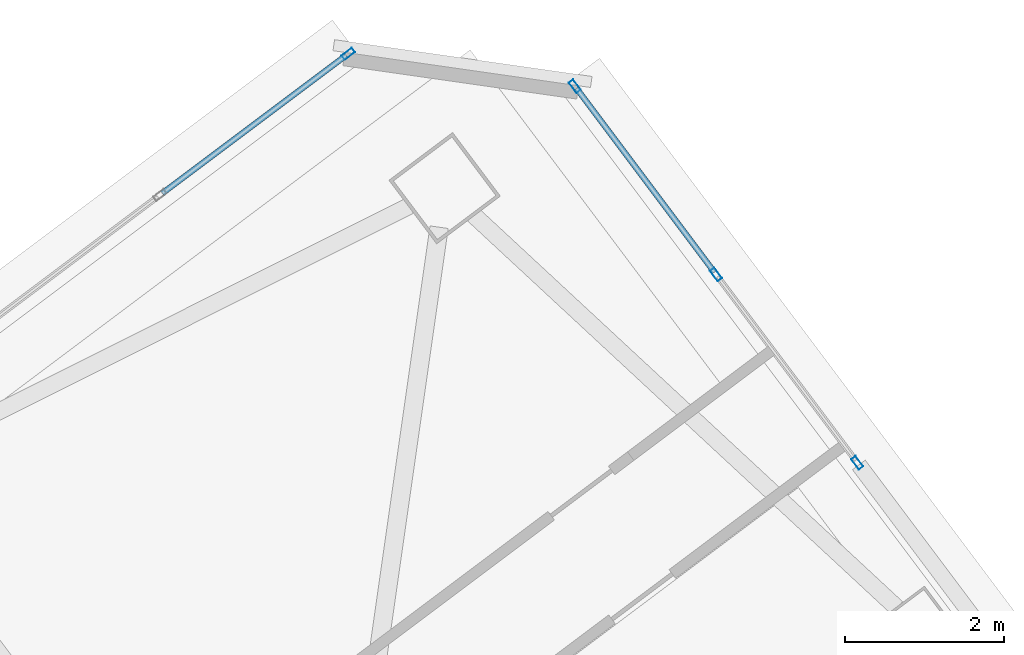
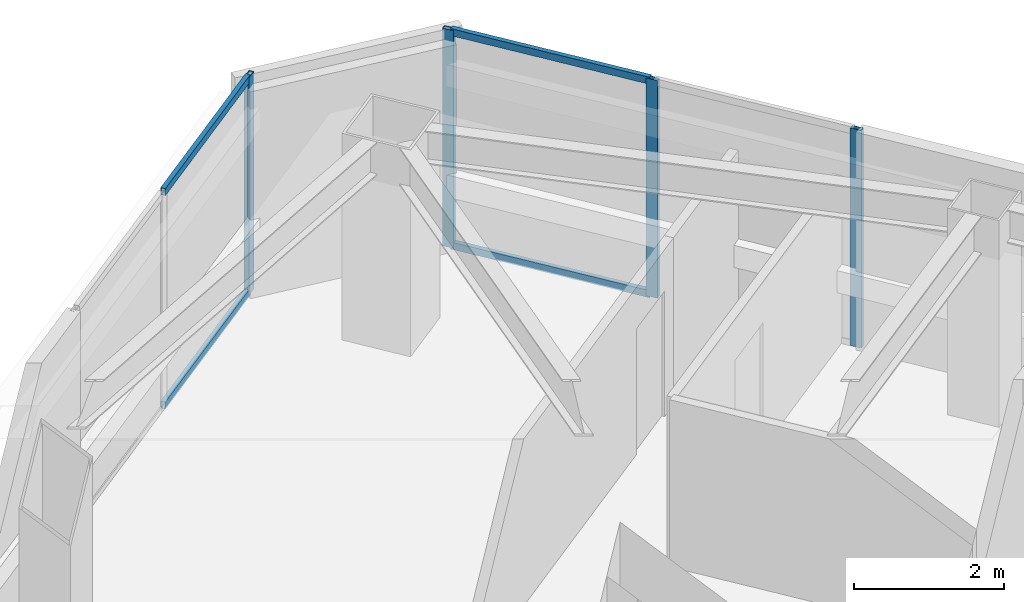
# One storey, part 31 of 44: 8 members, 2 elements without a shape of their own.
"""IFC4 building model written with IfcOpenShell, lengths in metres."""

import ifcopenshell
import ifcopenshell.guid

model = None  # the IFC model being written
_history = None  # IfcOwnerHistory: only IFC2X3 demands one
_inside = {}  # id of a spatial element -> (the spatial element, [elements in it])
_under = {}  # id of a project, library or spatial element -> (it, [spatial elements below it])
_declared = {}  # id of a project -> (the project, [libraries it declares])
_typed = {}  # id of a type object -> (the type object, [elements of that type])
_made_of = {}  # id of a material, layer set ... -> (it, [elements and type objects made of it])


def new_model(schema):
    """Start an empty IFC model of exactly this schema.

    Asked for "IFC4X3", IfcOpenShell would pick the latest addendum, in which some entities
    have other attributes; the version numbers below select the first issue.
    IFC2X3 requires an IfcOwnerHistory on every rooted entity: one is made here for all.
    """
    global model, _history
    if schema == "IFC4X3":
        model = ifcopenshell.file(schema_version=(4, 3, 0, 0))
    else:
        model = ifcopenshell.file(schema=schema)
    _inside.clear()
    _under.clear()
    _declared.clear()
    _typed.clear()
    _made_of.clear()
    _history = None
    if model.schema == "IFC2X3":
        org = make("IfcOrganization", Name="unknown")
        user = make(
            "IfcPersonAndOrganization",
            ThePerson=make("IfcPerson", FamilyName="unknown"),
            TheOrganization=org,
        )
        app = make(
            "IfcApplication",
            ApplicationDeveloper=org,
            Version="unknown",
            ApplicationFullName="unknown",
            ApplicationIdentifier="unknown",
        )
        _history = make(
            "IfcOwnerHistory",
            OwningUser=user,
            OwningApplication=app,
            ChangeAction="ADDED",
            CreationDate=0,
        )
    return model


def make(cls, **values):
    """One entity of the class cls with the attributes given. An attribute that is None is left unset."""
    return model.create_entity(
        cls, **{name: value for name, value in values.items() if value is not None}
    )


def rooted(cls, **values):
    """An entity with a GlobalId (a new one), such as an element, a storey or a relation."""
    return make(cls, GlobalId=ifcopenshell.guid.new(), OwnerHistory=_history, **values)


def si_unit(unit_type, name, prefix=None):
    """IfcSIUnit, for example si_unit("LENGTHUNIT", "METRE", prefix="MILLI")."""
    return make("IfcSIUnit", UnitType=unit_type, Prefix=prefix, Name=name)


def assignment(units):
    """IfcUnitAssignment: the units of a project."""
    return None if units is None else make("IfcUnitAssignment", Units=units)


def point(xyz):
    """IfcCartesianPoint."""
    return None if xyz is None else make("IfcCartesianPoint", Coordinates=xyz)


def direction(xyz):
    """IfcDirection."""
    return None if xyz is None else make("IfcDirection", DirectionRatios=xyz)


def frame(location, z_axis=None, x_axis=None):
    """IfcAxis2Placement3D, a coordinate frame: its origin and axes. An axis left out is left unset."""
    return make(
        "IfcAxis2Placement3D",
        Location=point(location),
        Axis=direction(z_axis),
        RefDirection=direction(x_axis),
    )


def frame_2d(location, x_axis=None):
    """IfcAxis2Placement2D, a coordinate frame in the plane: its origin and x axis."""
    return make(
        "IfcAxis2Placement2D", Location=point(location), RefDirection=direction(x_axis)
    )


def origin():
    """The frame at (0, 0, 0) with its axes left unset."""
    return frame((0.0, 0.0, 0.0))


def origin_2d():
    """The frame at (0, 0) in the plane with its x axis left unset."""
    return frame_2d((0.0, 0.0))


def place(relative_to, where):
    """IfcLocalPlacement: puts the frame where relative to a parent placement (None: the world)."""
    return make(
        "IfcLocalPlacement", PlacementRelTo=relative_to, RelativePlacement=where
    )


def context(
    kind, dimensions, precision=None, world=None, true_north=None, identifier=None
):
    """IfcGeometricRepresentationContext, for example the 3D "Model" context."""
    return make(
        "IfcGeometricRepresentationContext",
        ContextIdentifier=identifier,
        ContextType=kind,
        CoordinateSpaceDimension=dimensions,
        Precision=precision,
        WorldCoordinateSystem=world,
        TrueNorth=true_north,
    )


def subcontext(parent, identifier, kind, view, scale=None):
    """IfcGeometricRepresentationSubContext, for example "Body" below "Model"."""
    return make(
        "IfcGeometricRepresentationSubContext",
        ContextIdentifier=identifier,
        ContextType=kind,
        ParentContext=parent,
        TargetScale=scale,
        TargetView=view,
    )


def project(units=None, contexts=None):
    """IfcProject with its units and contexts."""
    return rooted(
        "IfcProject",
        Name="project",
        RepresentationContexts=contexts,
        UnitsInContext=assignment(units),
    )


def spatial(cls, under=None, at=None, **own):
    """A site, building, storey or space (cls), placed at a placement, below another one or the project."""
    s = rooted(cls, ObjectPlacement=at, **own)
    if under is not None:
        _under.setdefault(under.id(), (under, []))[1].append(s)
    return s


def profile(cls, at=None, kind="AREA", **sizes):
    """A parametric profile (cls). Its sizes go by their IFC names, for example OverallWidth=200.0."""
    return make(cls, ProfileType=kind, Position=at, **sizes)


def hollow_rectangle(**sizes):
    """IfcRectangleHollowProfileDef."""
    return profile("IfcRectangleHollowProfileDef", **sizes)


def extrude(swept, where, along, depth):
    """IfcExtrudedAreaSolid: the profile swept, set in the frame where, extruded along a direction by depth."""
    return make(
        "IfcExtrudedAreaSolid",
        SweptArea=swept,
        Position=where,
        ExtrudedDirection=direction(along),
        Depth=depth,
    )


def shape(context_of_items, identifier, shape_type, items):
    """IfcShapeRepresentation: the items that make up one representation, for example the "Body"."""
    return make(
        "IfcShapeRepresentation",
        ContextOfItems=context_of_items,
        RepresentationIdentifier=identifier,
        RepresentationType=shape_type,
        Items=items,
    )


def material(Name=None, Category=None):
    """IfcMaterial."""
    return make("IfcMaterial", Name=Name, Category=Category)


def material_profile(
    of_material, cross_section, Name=None, Category=None, Priority=None
):
    """IfcMaterialProfile: a cross section and its material."""
    return make(
        "IfcMaterialProfile",
        Name=Name,
        Material=of_material,
        Profile=cross_section,
        Priority=Priority,
        Category=Category,
    )


def profile_set(profiles, Name=None, composite=None):
    """IfcMaterialProfileSet."""
    return make(
        "IfcMaterialProfileSet",
        Name=Name,
        MaterialProfiles=profiles,
        CompositeProfile=composite,
    )


def made_of(thing, what):
    """Note that an element or type object is made of a material, layer set ...; save() writes the relation."""
    if what is not None:
        _made_of.setdefault(what.id(), (what, []))[1].append(thing)
    return thing


def type_object(cls, material=None, **own):
    """A type object (cls), such as IfcWallType, which elements share."""
    return made_of(rooted(cls, **own), material)


def element(
    cls,
    number,
    at=None,
    inside=None,
    cuts=None,
    type_object=None,
    material=None,
    context=None,
    identifier="Body",
    shape_type=None,
    held_by="IfcProductDefinitionShape",
    body=None,
    shapes=None,
    **own,
):
    """One element of the class cls, such as IfcWall. Its Tag is "e" and its number.

    at: its placement. inside: the storey or other place that contains it. cuts: it is an
    opening in that element (IfcRelVoidsElement). A single representation is given by context,
    identifier, shape_type and body (its items); several are given by shapes. held_by: the class
    of the entity that holds the representations. save() writes the other relations.
    """
    e = rooted(cls, Tag="e%d" % number, ObjectPlacement=at, **own)
    if body is not None:
        shapes = [shape(context, identifier, shape_type, body)]
    if shapes is not None:
        e.Representation = make(held_by, Representations=shapes)
    if inside is not None:
        _inside.setdefault(inside.id(), (inside, []))[1].append(e)
    if cuts is not None:
        rooted(
            "IfcRelVoidsElement", RelatingBuildingElement=cuts, RelatedOpeningElement=e
        )
    if type_object is not None:
        _typed.setdefault(type_object.id(), (type_object, []))[1].append(e)
    return made_of(e, material)


def aggregate(whole, parts):
    """IfcRelAggregates: a whole, such as a stair, and the parts it consists of."""
    return rooted("IfcRelAggregates", RelatingObject=whole, RelatedObjects=parts)


def save(model, path):
    """Write the relations noted so far, then the file.

    IfcRelAggregates (storeys below a building ...), IfcRelContainedInSpatialStructure (elements
    in a storey), IfcRelDefinesByType, IfcRelAssociatesMaterial and IfcRelDeclares: one each for
    every whole, place, type object, material and project.
    """
    for whole, parts in _under.values():
        aggregate(whole, parts)
    for where, things in _inside.values():
        rooted(
            "IfcRelContainedInSpatialStructure",
            RelatedElements=things,
            RelatingStructure=where,
        )
    for kind, things in _typed.values():
        rooted("IfcRelDefinesByType", RelatedObjects=things, RelatingType=kind)
    for what, things in _made_of.values():
        rooted("IfcRelAssociatesMaterial", RelatedObjects=things, RelatingMaterial=what)
    for by, libraries in _declared.values():
        rooted("IfcRelDeclares", RelatingContext=by, RelatedDefinitions=libraries)
    model.write(path)


model = new_model("IFC4")

# Units and contexts
model_context = context("Model", 3, precision=1e-05, world=origin(), true_north=direction((0.0, 1.0)))
body_context = subcontext(model_context, "Body", "Model", "MODEL_VIEW")
ifc_project = project(units=[si_unit("LENGTHUNIT", "METRE"), si_unit("AREAUNIT", "SQUARE_METRE"), si_unit("VOLUMEUNIT", "CUBIC_METRE"), si_unit("PLANEANGLEUNIT", "RADIAN"), si_unit("MASSUNIT", "GRAM", prefix="KILO")], contexts=[model_context])

# Site, building, storey
site_placement = place(None, origin())
site = spatial("IfcSite", under=ifc_project, at=site_placement, CompositionType="ELEMENT")
building_placement = place(site_placement, origin())
building = spatial("IfcBuilding", under=site, at=building_placement, Name="Tashvorn Skyway Center", CompositionType="ELEMENT")
storey_placement = place(building_placement, frame((0.0, 0.0, 211.300048828125)))
storey = spatial("IfcBuildingStorey", under=building, at=storey_placement, Name="L57", CompositionType="ELEMENT", Elevation=211.300048828125)

# Curtain wall, member
ifc_material = material(Name="Thermally broken bronze-anodized aluminium 6063-T6", Category="aluminium")
curtain_wall_type = type_object("IfcCurtainWallType", Name="CW-CW-Z5", PredefinedType="NOTDEFINED", material=ifc_material)
curtain_wall_1_placement = place(storey_placement, origin())
curtain_wall_1 = element("IfcCurtainWall", 1, at=curtain_wall_1_placement, inside=storey, type_object=curtain_wall_type, Name="Tower 2 L57 North Unitised Curtain Wall Glazing Group 3", PredefinedType="NOTDEFINED")
ifc_material_profile_1 = material_profile(ifc_material, hollow_rectangle(XDim=0.070068359375, YDim=0.1650390625, WallThickness=0.00390625, at=origin_2d()), Name="ALU-MULL-70x165")
ifc_profile_set_1 = profile_set([ifc_material_profile_1], Name="Thermally broken bronze-anodized aluminium 6063-T6")
member_type_1 = type_object("IfcMemberType", Name="CWM-CW-Z5", PredefinedType="MULLION", material=ifc_profile_set_1)
member_1_placement = place(storey_placement, frame((115.468017578125, 52.450927734375, 0.0), z_axis=(0.0, 0.0, 1.0), x_axis=(-0.600002670604, 0.79999799704, 0.0)))
member_1 = element("IfcMember", 2, at=member_1_placement, type_object=member_type_1, Name="CW-Z5 mullion 3", PredefinedType="MULLION", context=body_context, shape_type="SweptSolid", body=[
    extrude(hollow_rectangle(XDim=0.070068359375, YDim=0.1650390625, WallThickness=0.00390625, at=origin_2d()), origin(), (0.0, 0.0, 1.0), 3.550048828125),
])

# Curtain wall, members
curtain_wall_2_placement = place(storey_placement, origin())
curtain_wall_2 = element("IfcCurtainWall", 3, at=curtain_wall_2_placement, inside=storey, type_object=curtain_wall_type, Name="Tower 2 L57 East Unitised Curtain Wall Glazing Group 1", PredefinedType="NOTDEFINED")
member_2_placement = place(storey_placement, frame((118.31689453125, 52.0439453125, 0.0), z_axis=(0.0, 0.0, 1.0), x_axis=(0.79999799704, 0.600002670604, 0.0)))
member_2 = element("IfcMember", 4, at=member_2_placement, type_object=member_type_1, Name="CW-Z5 mullion 1", PredefinedType="MULLION", context=body_context, shape_type="SweptSolid", body=[
    extrude(hollow_rectangle(XDim=0.070068359375, YDim=0.1650390625, WallThickness=0.00390625, at=origin_2d()), origin(), (0.0, 0.0, 1.0), 3.550048828125),
])
member_3_placement = place(storey_placement, frame((120.09326171875, 49.675537109375, 0.0), z_axis=(0.0, 0.0, 1.0), x_axis=(0.79999799704, 0.600002670604, 0.0)))
member_3 = element("IfcMember", 5, at=member_3_placement, type_object=member_type_1, Name="CW-Z5 mullion 2", PredefinedType="MULLION", context=body_context, shape_type="SweptSolid", body=[
    extrude(hollow_rectangle(XDim=0.070068359375, YDim=0.1650390625, WallThickness=0.00390625, at=origin_2d()), origin(), (0.0, 0.0, 1.0), 3.550048828125),
])
member_4_placement = place(storey_placement, frame((121.86962890625, 47.30712890625, 0.0), z_axis=(0.0, 0.0, 1.0), x_axis=(0.79999799704, 0.600002670604, 0.0)))
member_4 = element("IfcMember", 6, at=member_4_placement, type_object=member_type_1, Name="CW-Z5 mullion 3", PredefinedType="MULLION", context=body_context, shape_type="SweptSolid", body=[
    extrude(hollow_rectangle(XDim=0.070068359375, YDim=0.1650390625, WallThickness=0.00390625, at=origin_2d()), origin(), (0.0, 0.0, 1.0), 3.550048828125),
])

# Member
ifc_material_profile_2 = material_profile(ifc_material, hollow_rectangle(XDim=0.070068359375, YDim=0.114990234375, WallThickness=0.00390625, at=origin_2d()), Name="ALU-TRAN-70x115")
ifc_profile_set_2 = profile_set([ifc_material_profile_2], Name="Thermally broken bronze-anodized aluminium 6063-T6")
member_type_2 = type_object("IfcMemberType", Name="CWT-CW-Z5", PredefinedType="USERDEFINED", material=ifc_profile_set_2)
member_5_placement = place(storey_placement, frame((113.12744140625, 50.695556640625, 0.034912109375), z_axis=(0.8, 0.6, 0.0), x_axis=(-0.6, 0.8, 0.0)))
member_5 = element("IfcMember", 7, at=member_5_placement, type_object=member_type_2, Name="CW-Z5 transom 2.1", ObjectType="TRANSOM", PredefinedType="USERDEFINED", context=body_context, shape_type="SweptSolid", body=[
    extrude(hollow_rectangle(XDim=0.070068359375, YDim=0.114990234375, WallThickness=0.00390625, at=origin_2d()), origin(), (0.0, 0.0, 1.0), 2.890625),
])

member_6_placement = place(storey_placement, frame((113.12744140625, 50.695556640625, 3.514892578125), z_axis=(0.8, 0.6, 0.0), x_axis=(-0.6, 0.8, 0.0)))
member_6 = element("IfcMember", 8, at=member_6_placement, type_object=member_type_2, Name="CW-Z5 transom 2.2", ObjectType="TRANSOM", PredefinedType="USERDEFINED", context=body_context, shape_type="SweptSolid", body=[
    extrude(hollow_rectangle(XDim=0.070068359375, YDim=0.114990234375, WallThickness=0.00390625, at=origin_2d()), origin(), (0.0, 0.0, 1.0), 2.890625),
])

aggregate(curtain_wall_1, [member_1, member_5, member_6])

member_7_placement = place(storey_placement, frame((118.337890625, 52.01611328125, 0.034912109375), z_axis=(0.6, -0.8, 0.0), x_axis=(0.8, 0.6, 0.0)))
member_7 = element("IfcMember", 9, at=member_7_placement, type_object=member_type_2, Name="CW-Z5 transom 1.1", ObjectType="TRANSOM", PredefinedType="USERDEFINED", context=body_context, shape_type="SweptSolid", body=[
    extrude(hollow_rectangle(XDim=0.070068359375, YDim=0.114990234375, WallThickness=0.00390625, at=origin_2d()), origin(), (0.0, 0.0, 1.0), 2.890625),
])

member_8_placement = place(storey_placement, frame((118.337890625, 52.01611328125, 3.514892578125), z_axis=(0.6, -0.8, 0.0), x_axis=(0.8, 0.6, 0.0)))
member_8 = element("IfcMember", 10, at=member_8_placement, type_object=member_type_2, Name="CW-Z5 transom 1.2", ObjectType="TRANSOM", PredefinedType="USERDEFINED", context=body_context, shape_type="SweptSolid", body=[
    extrude(hollow_rectangle(XDim=0.070068359375, YDim=0.114990234375, WallThickness=0.00390625, at=origin_2d()), origin(), (0.0, 0.0, 1.0), 2.890625),
])

aggregate(curtain_wall_2, [member_2, member_3, member_4, member_7, member_8])

save(model, "model.ifc")
